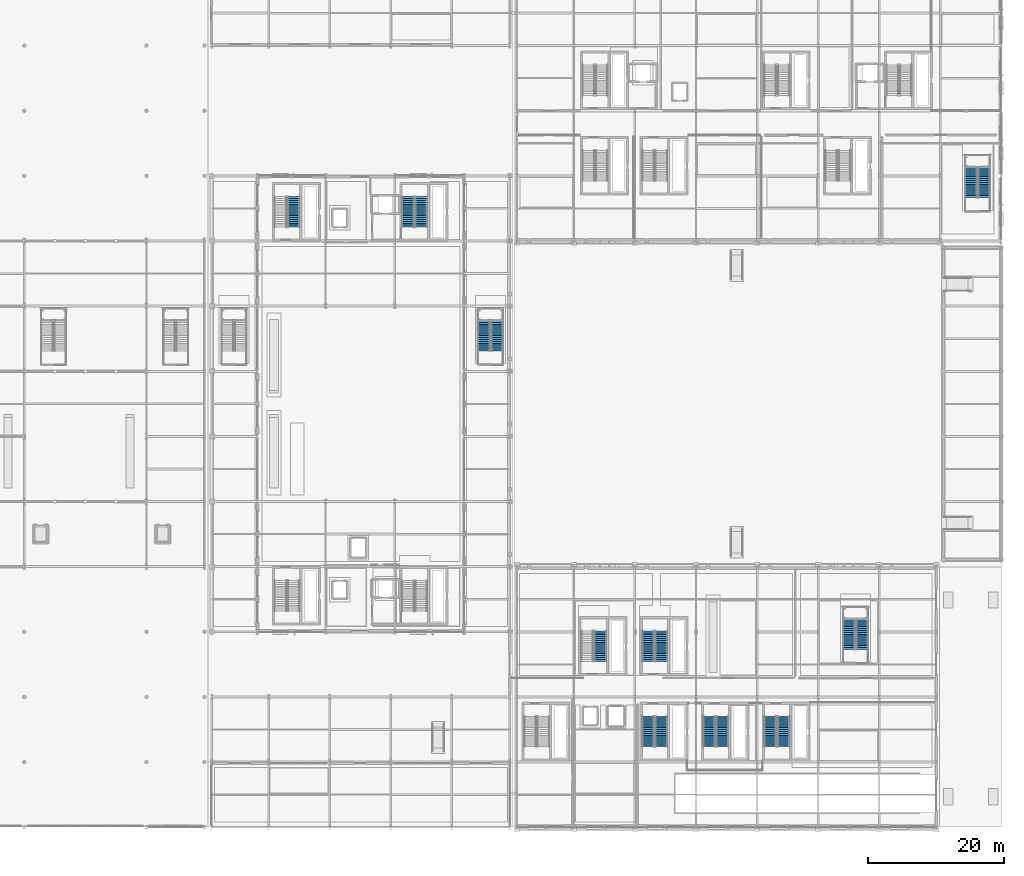
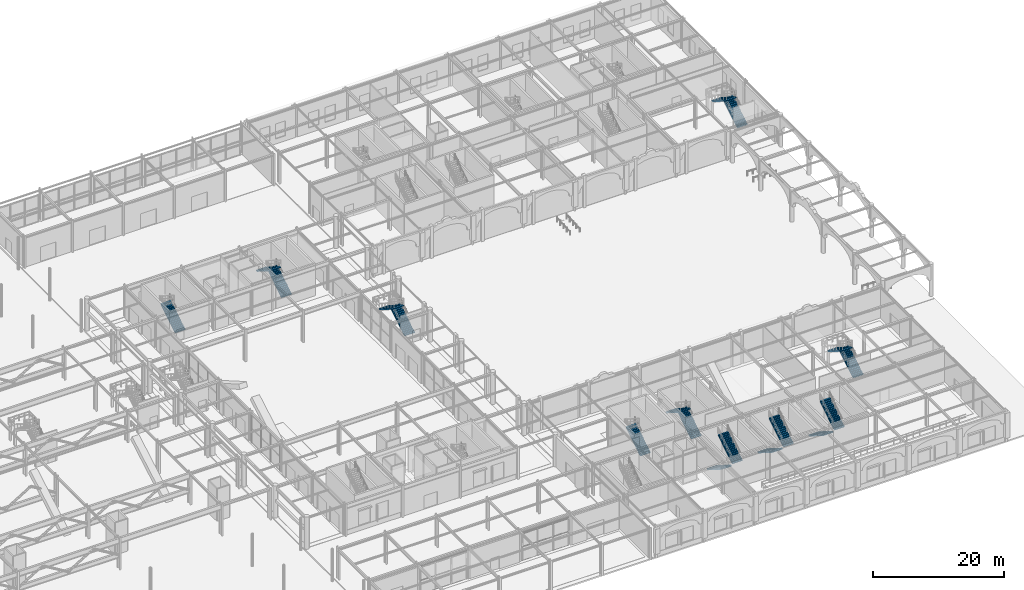
# One storey, part 71 of 113: 18 stair flights, 10 elements without a shape of their own.
"""IFC4 building model written with IfcOpenShell, lengths in metres."""

from ifc_helpers import new_model, si_unit, direction, frame, origin, place, context, subcontext, project, spatial, polyline, outline, extrude, material, type_object, element, aggregate, save


model = new_model("IFC4")

# Units and contexts
model_context = context("Model", 3, precision=1e-05, world=origin(), true_north=direction((0.0, 1.0)))
body_context = subcontext(model_context, "Body", "Model", "MODEL_VIEW")
ifc_project = project(units=[si_unit("LENGTHUNIT", "METRE"), si_unit("AREAUNIT", "SQUARE_METRE"), si_unit("VOLUMEUNIT", "CUBIC_METRE"), si_unit("PLANEANGLEUNIT", "RADIAN"), si_unit("MASSUNIT", "GRAM", prefix="KILO")], contexts=[model_context])

# Site, building, storey
site_placement = place(None, origin())
site = spatial("IfcSite", under=ifc_project, at=site_placement, CompositionType="ELEMENT")
building_placement = place(site_placement, origin())
building = spatial("IfcBuilding", under=site, at=building_placement, Name="Myrtia Square Station", CompositionType="ELEMENT")
storey_placement = place(building_placement, origin())
storey = spatial("IfcBuildingStorey", under=building, at=storey_placement, Name="L00", CompositionType="ELEMENT", Elevation=0.0)

# Stair, stair flight
ifc_material = material(Name="Concrete C35/45", Category="concrete")
stair_type_1 = type_object("IfcStairType", Name="STR-02-34R-1800W", PredefinedType="HALF_TURN_STAIR", material=ifc_material)
stair_1_placement = place(storey_placement, origin())
stair_1 = element("IfcStair", 1, at=stair_1_placement, inside=storey, type_object=stair_type_1, Name="L00 Core escape stair ST02", PredefinedType="HALF_TURN_STAIR")
stair_flight_type_1 = type_object("IfcStairFlightType", Name="STF-02-17R-1800W", PredefinedType="STRAIGHT", material=ifc_material)
stair_flight_1_placement = place(storey_placement, frame((84.7099609375, 88.449951171875, 0.0), z_axis=(0.0, 0.0, 1.0), x_axis=(0.0, 1.0, 0.0)))
stair_flight_1 = element("IfcStairFlight", 2, at=stair_flight_1_placement, type_object=stair_flight_type_1, Name="ST02 flight 1", NumberOfRisers=17, NumberOfTreads=16, PredefinedType="STRAIGHT", RiserHeight=0.176470588, TreadLength=0.28, context=body_context, shape_type="SweptSolid", body=[
    extrude(outline(polyline([(0.0, 0.0), (0.0, 0.176513671875), (0.280029296875, 0.176513671875), (0.280029296875, 0.35302734375), (0.56005859375, 0.35302734375), (0.56005859375, 0.529296875), (0.840087890625, 0.529296875), (0.840087890625, 0.705810546875), (1.1201171875, 0.705810546875), (1.1201171875, 0.88232421875), (1.39990234375, 0.88232421875), (1.39990234375, 1.058837890625), (1.679931640625, 1.058837890625), (1.679931640625, 1.2353515625), (1.9599609375, 1.2353515625), (1.9599609375, 1.411865234375), (2.239990234375, 1.411865234375), (2.239990234375, 1.588134765625), (2.52001953125, 1.588134765625), (2.52001953125, 1.7646484375), (2.800048828125, 1.7646484375), (2.800048828125, 1.941162109375), (3.080078125, 1.941162109375), (3.080078125, 2.11767578125), (3.360107421875, 2.11767578125), (3.360107421875, 2.294189453125), (3.639892578125, 2.294189453125), (3.639892578125, 2.470703125), (3.919921875, 2.470703125), (3.919921875, 2.64697265625), (4.199951171875, 2.64697265625), (4.199951171875, 2.823486328125), (4.47998046875, 2.823486328125), (4.47998046875, 3.0), (4.47998046875, 2.646240234375), (0.28125, 0.0), (0.0, 0.0)])), frame((0.0, 0.89990234375, 0.0), z_axis=(0.0, -1.0, 0.0), x_axis=(1.0, 0.0, 0.0)), (0.0, 0.0, 1.0), 1.800048828125),
])
aggregate(stair_1, [stair_flight_1])

# Stair, stair flights
stair_2_placement = place(storey_placement, origin())
stair_2 = element("IfcStair", 3, at=stair_2_placement, inside=storey, type_object=stair_type_1, Name="L00 Core escape stair ST04", PredefinedType="HALF_TURN_STAIR")
stair_flight_2_placement = place(storey_placement, frame((103.510009765625, 88.449951171875, 0.0), z_axis=(0.0, 0.0, 1.0), x_axis=(0.0, 1.0, 0.0)))
stair_flight_2 = element("IfcStairFlight", 4, at=stair_flight_2_placement, type_object=stair_flight_type_1, Name="ST04 flight 1", NumberOfRisers=17, NumberOfTreads=16, PredefinedType="STRAIGHT", RiserHeight=0.176470588, TreadLength=0.28, context=body_context, shape_type="SweptSolid", body=[
    extrude(outline(polyline([(0.0, 0.0), (0.0, 0.176513671875), (0.280029296875, 0.176513671875), (0.280029296875, 0.35302734375), (0.56005859375, 0.35302734375), (0.56005859375, 0.529296875), (0.840087890625, 0.529296875), (0.840087890625, 0.705810546875), (1.1201171875, 0.705810546875), (1.1201171875, 0.88232421875), (1.39990234375, 0.88232421875), (1.39990234375, 1.058837890625), (1.679931640625, 1.058837890625), (1.679931640625, 1.2353515625), (1.9599609375, 1.2353515625), (1.9599609375, 1.411865234375), (2.239990234375, 1.411865234375), (2.239990234375, 1.588134765625), (2.52001953125, 1.588134765625), (2.52001953125, 1.7646484375), (2.800048828125, 1.7646484375), (2.800048828125, 1.941162109375), (3.080078125, 1.941162109375), (3.080078125, 2.11767578125), (3.360107421875, 2.11767578125), (3.360107421875, 2.294189453125), (3.639892578125, 2.294189453125), (3.639892578125, 2.470703125), (3.919921875, 2.470703125), (3.919921875, 2.64697265625), (4.199951171875, 2.64697265625), (4.199951171875, 2.823486328125), (4.47998046875, 2.823486328125), (4.47998046875, 3.0), (4.47998046875, 2.646240234375), (0.28125, 0.0), (0.0, 0.0)])), frame((0.0, 0.89990234375, 0.0), z_axis=(0.0, -1.0, 0.0), x_axis=(1.0, 0.0, 0.0)), (0.0, 0.0, 1.0), 1.800048828125),
])
stair_flight_3_placement = place(storey_placement, frame((101.550048828125, 92.929931640625, 3.0), z_axis=(0.0, 0.0, 1.0), x_axis=(0.0, -1.0, 0.0)))
stair_flight_3 = element("IfcStairFlight", 5, at=stair_flight_3_placement, type_object=stair_flight_type_1, Name="ST04 flight 2", NumberOfRisers=17, NumberOfTreads=16, PredefinedType="STRAIGHT", RiserHeight=0.176470588, TreadLength=0.28, context=body_context, shape_type="SweptSolid", body=[
    extrude(outline(polyline([(0.0, 0.0), (0.0, 0.176513671875), (0.280029296875, 0.176513671875), (0.280029296875, 0.35302734375), (0.56005859375, 0.35302734375), (0.56005859375, 0.529296875), (0.840087890625, 0.529296875), (0.840087890625, 0.705810546875), (1.1201171875, 0.705810546875), (1.1201171875, 0.88232421875), (1.39990234375, 0.88232421875), (1.39990234375, 1.058837890625), (1.679931640625, 1.058837890625), (1.679931640625, 1.2353515625), (1.9599609375, 1.2353515625), (1.9599609375, 1.411865234375), (2.239990234375, 1.411865234375), (2.239990234375, 1.588134765625), (2.52001953125, 1.588134765625), (2.52001953125, 1.7646484375), (2.800048828125, 1.7646484375), (2.800048828125, 1.941162109375), (3.080078125, 1.941162109375), (3.080078125, 2.11767578125), (3.360107421875, 2.11767578125), (3.360107421875, 2.294189453125), (3.639892578125, 2.294189453125), (3.639892578125, 2.470703125), (3.919921875, 2.470703125), (3.919921875, 2.64697265625), (4.199951171875, 2.64697265625), (4.199951171875, 2.823486328125), (4.47998046875, 2.823486328125), (4.47998046875, 3.0), (4.47998046875, 2.646240234375), (0.28125, 0.0), (0.0, 0.0)])), frame((0.0, 0.89990234375, 0.0), z_axis=(0.0, -1.0, 0.0), x_axis=(1.0, 0.0, 0.0)), (0.0, 0.0, 1.0), 1.800048828125),
])
aggregate(stair_2, [stair_flight_2, stair_flight_3])

stair_3_placement = place(storey_placement, origin())
stair_3 = element("IfcStair", 6, at=stair_3_placement, inside=storey, type_object=stair_type_1, Name="L00 Core escape stair ST06", PredefinedType="HALF_TURN_STAIR")
stair_flight_4_placement = place(storey_placement, frame((136.949951171875, 16.35009765625, 0.0), z_axis=(0.0, 0.0, 1.0), x_axis=(0.0, -1.0, 0.0)))
stair_flight_4 = element("IfcStairFlight", 7, at=stair_flight_4_placement, type_object=stair_flight_type_1, Name="ST06 flight 1", NumberOfRisers=17, NumberOfTreads=16, PredefinedType="STRAIGHT", RiserHeight=0.176470588, TreadLength=0.28, context=body_context, shape_type="SweptSolid", body=[
    extrude(outline(polyline([(0.0, 0.0), (0.0, 0.176513671875), (0.280029296875, 0.176513671875), (0.280029296875, 0.35302734375), (0.56005859375, 0.35302734375), (0.56005859375, 0.529296875), (0.840087890625, 0.529296875), (0.840087890625, 0.705810546875), (1.1201171875, 0.705810546875), (1.1201171875, 0.88232421875), (1.39990234375, 0.88232421875), (1.39990234375, 1.058837890625), (1.679931640625, 1.058837890625), (1.679931640625, 1.2353515625), (1.9599609375, 1.2353515625), (1.9599609375, 1.411865234375), (2.239990234375, 1.411865234375), (2.239990234375, 1.588134765625), (2.52001953125, 1.588134765625), (2.52001953125, 1.7646484375), (2.800048828125, 1.7646484375), (2.800048828125, 1.941162109375), (3.080078125, 1.941162109375), (3.080078125, 2.11767578125), (3.360107421875, 2.11767578125), (3.360107421875, 2.294189453125), (3.639892578125, 2.294189453125), (3.639892578125, 2.470703125), (3.919921875, 2.470703125), (3.919921875, 2.64697265625), (4.199951171875, 2.64697265625), (4.199951171875, 2.823486328125), (4.47998046875, 2.823486328125), (4.47998046875, 3.0), (4.47998046875, 2.646240234375), (0.28125, 0.0), (0.0, 0.0)])), frame((0.0, 0.89990234375, 0.0), z_axis=(0.0, -1.0, 0.0), x_axis=(1.0, 0.0, 0.0)), (0.0, 0.0, 1.0), 1.800048828125),
])
stair_flight_5_placement = place(storey_placement, frame((138.909912109375, 11.8701171875, 3.0), z_axis=(0.0, 0.0, 1.0), x_axis=(0.0, 1.0, 0.0)))
stair_flight_5 = element("IfcStairFlight", 8, at=stair_flight_5_placement, type_object=stair_flight_type_1, Name="ST06 flight 2", NumberOfRisers=17, NumberOfTreads=16, PredefinedType="STRAIGHT", RiserHeight=0.176470588, TreadLength=0.28, context=body_context, shape_type="SweptSolid", body=[
    extrude(outline(polyline([(0.0, 0.0), (0.0, 0.176513671875), (0.280029296875, 0.176513671875), (0.280029296875, 0.35302734375), (0.56005859375, 0.35302734375), (0.56005859375, 0.529296875), (0.840087890625, 0.529296875), (0.840087890625, 0.705810546875), (1.1201171875, 0.705810546875), (1.1201171875, 0.88232421875), (1.39990234375, 0.88232421875), (1.39990234375, 1.058837890625), (1.679931640625, 1.058837890625), (1.679931640625, 1.2353515625), (1.9599609375, 1.2353515625), (1.9599609375, 1.411865234375), (2.239990234375, 1.411865234375), (2.239990234375, 1.588134765625), (2.52001953125, 1.588134765625), (2.52001953125, 1.7646484375), (2.800048828125, 1.7646484375), (2.800048828125, 1.941162109375), (3.080078125, 1.941162109375), (3.080078125, 2.11767578125), (3.360107421875, 2.11767578125), (3.360107421875, 2.294189453125), (3.639892578125, 2.294189453125), (3.639892578125, 2.470703125), (3.919921875, 2.470703125), (3.919921875, 2.64697265625), (4.199951171875, 2.64697265625), (4.199951171875, 2.823486328125), (4.47998046875, 2.823486328125), (4.47998046875, 3.0), (4.47998046875, 2.646240234375), (0.28125, 0.0), (0.0, 0.0)])), frame((0.0, 0.89990234375, 0.0), z_axis=(0.0, -1.0, 0.0), x_axis=(1.0, 0.0, 0.0)), (0.0, 0.0, 1.0), 1.800048828125),
])
aggregate(stair_3, [stair_flight_4, stair_flight_5])

stair_4_placement = place(storey_placement, origin())
stair_4 = element("IfcStair", 9, at=stair_4_placement, inside=storey, type_object=stair_type_1, Name="L00 Core escape stair ST09", PredefinedType="HALF_TURN_STAIR")
stair_flight_6_placement = place(storey_placement, frame((138.909912109375, 24.449951171875, 0.0), z_axis=(0.0, 0.0, 1.0), x_axis=(0.0, 1.0, 0.0)))
stair_flight_6 = element("IfcStairFlight", 10, at=stair_flight_6_placement, type_object=stair_flight_type_1, Name="ST09 flight 1", NumberOfRisers=17, NumberOfTreads=16, PredefinedType="STRAIGHT", RiserHeight=0.176470588, TreadLength=0.28, context=body_context, shape_type="SweptSolid", body=[
    extrude(outline(polyline([(0.0, 0.0), (0.0, 0.176513671875), (0.280029296875, 0.176513671875), (0.280029296875, 0.35302734375), (0.56005859375, 0.35302734375), (0.56005859375, 0.529296875), (0.840087890625, 0.529296875), (0.840087890625, 0.705810546875), (1.1201171875, 0.705810546875), (1.1201171875, 0.88232421875), (1.39990234375, 0.88232421875), (1.39990234375, 1.058837890625), (1.679931640625, 1.058837890625), (1.679931640625, 1.2353515625), (1.9599609375, 1.2353515625), (1.9599609375, 1.411865234375), (2.239990234375, 1.411865234375), (2.239990234375, 1.588134765625), (2.52001953125, 1.588134765625), (2.52001953125, 1.7646484375), (2.800048828125, 1.7646484375), (2.800048828125, 1.941162109375), (3.080078125, 1.941162109375), (3.080078125, 2.11767578125), (3.360107421875, 2.11767578125), (3.360107421875, 2.294189453125), (3.639892578125, 2.294189453125), (3.639892578125, 2.470703125), (3.919921875, 2.470703125), (3.919921875, 2.64697265625), (4.199951171875, 2.64697265625), (4.199951171875, 2.823486328125), (4.47998046875, 2.823486328125), (4.47998046875, 3.0), (4.47998046875, 2.646240234375), (0.28125, 0.0), (0.0, 0.0)])), frame((0.0, 0.89990234375, 0.0), z_axis=(0.0, -1.0, 0.0), x_axis=(1.0, 0.0, 0.0)), (0.0, 0.0, 1.0), 1.800048828125),
])
stair_flight_7_placement = place(storey_placement, frame((136.949951171875, 28.929931640625, 3.0), z_axis=(0.0, 0.0, 1.0), x_axis=(0.0, -1.0, 0.0)))
stair_flight_7 = element("IfcStairFlight", 11, at=stair_flight_7_placement, type_object=stair_flight_type_1, Name="ST09 flight 2", NumberOfRisers=17, NumberOfTreads=16, PredefinedType="STRAIGHT", RiserHeight=0.176470588, TreadLength=0.28, context=body_context, shape_type="SweptSolid", body=[
    extrude(outline(polyline([(0.0, 0.0), (0.0, 0.176513671875), (0.280029296875, 0.176513671875), (0.280029296875, 0.35302734375), (0.56005859375, 0.35302734375), (0.56005859375, 0.529296875), (0.840087890625, 0.529296875), (0.840087890625, 0.705810546875), (1.1201171875, 0.705810546875), (1.1201171875, 0.88232421875), (1.39990234375, 0.88232421875), (1.39990234375, 1.058837890625), (1.679931640625, 1.058837890625), (1.679931640625, 1.2353515625), (1.9599609375, 1.2353515625), (1.9599609375, 1.411865234375), (2.239990234375, 1.411865234375), (2.239990234375, 1.588134765625), (2.52001953125, 1.588134765625), (2.52001953125, 1.7646484375), (2.800048828125, 1.7646484375), (2.800048828125, 1.941162109375), (3.080078125, 1.941162109375), (3.080078125, 2.11767578125), (3.360107421875, 2.11767578125), (3.360107421875, 2.294189453125), (3.639892578125, 2.294189453125), (3.639892578125, 2.470703125), (3.919921875, 2.470703125), (3.919921875, 2.64697265625), (4.199951171875, 2.64697265625), (4.199951171875, 2.823486328125), (4.47998046875, 2.823486328125), (4.47998046875, 3.0), (4.47998046875, 2.646240234375), (0.28125, 0.0), (0.0, 0.0)])), frame((0.0, 0.89990234375, 0.0), z_axis=(0.0, -1.0, 0.0), x_axis=(1.0, 0.0, 0.0)), (0.0, 0.0, 1.0), 1.800048828125),
])
aggregate(stair_4, [stair_flight_6, stair_flight_7])

# Stair, stair flight
stair_5_placement = place(storey_placement, origin())
stair_5 = element("IfcStair", 12, at=stair_5_placement, inside=storey, type_object=stair_type_1, Name="L00 Core escape stair ST10", PredefinedType="HALF_TURN_STAIR")
stair_flight_8_placement = place(storey_placement, frame((129.909912109375, 24.449951171875, 0.0), z_axis=(0.0, 0.0, 1.0), x_axis=(0.0, 1.0, 0.0)))
stair_flight_8 = element("IfcStairFlight", 13, at=stair_flight_8_placement, type_object=stair_flight_type_1, Name="ST10 flight 1", NumberOfRisers=17, NumberOfTreads=16, PredefinedType="STRAIGHT", RiserHeight=0.176470588, TreadLength=0.28, context=body_context, shape_type="SweptSolid", body=[
    extrude(outline(polyline([(0.0, 0.0), (0.0, 0.176513671875), (0.280029296875, 0.176513671875), (0.280029296875, 0.35302734375), (0.56005859375, 0.35302734375), (0.56005859375, 0.529296875), (0.840087890625, 0.529296875), (0.840087890625, 0.705810546875), (1.1201171875, 0.705810546875), (1.1201171875, 0.88232421875), (1.39990234375, 0.88232421875), (1.39990234375, 1.058837890625), (1.679931640625, 1.058837890625), (1.679931640625, 1.2353515625), (1.9599609375, 1.2353515625), (1.9599609375, 1.411865234375), (2.239990234375, 1.411865234375), (2.239990234375, 1.588134765625), (2.52001953125, 1.588134765625), (2.52001953125, 1.7646484375), (2.800048828125, 1.7646484375), (2.800048828125, 1.941162109375), (3.080078125, 1.941162109375), (3.080078125, 2.11767578125), (3.360107421875, 2.11767578125), (3.360107421875, 2.294189453125), (3.639892578125, 2.294189453125), (3.639892578125, 2.470703125), (3.919921875, 2.470703125), (3.919921875, 2.64697265625), (4.199951171875, 2.64697265625), (4.199951171875, 2.823486328125), (4.47998046875, 2.823486328125), (4.47998046875, 3.0), (4.47998046875, 2.646240234375), (0.28125, 0.0), (0.0, 0.0)])), frame((0.0, 0.89990234375, 0.0), z_axis=(0.0, -1.0, 0.0), x_axis=(1.0, 0.0, 0.0)), (0.0, 0.0, 1.0), 1.800048828125),
])
aggregate(stair_5, [stair_flight_8])

# Stair, stair flights
stair_6_placement = place(storey_placement, origin())
stair_6 = element("IfcStair", 14, at=stair_6_placement, inside=storey, type_object=stair_type_1, Name="L00 Core escape stair ST11", PredefinedType="HALF_TURN_STAIR")
stair_flight_9_placement = place(storey_placement, frame((145.949951171875, 16.35009765625, 0.0), z_axis=(0.0, 0.0, 1.0), x_axis=(0.0, -1.0, 0.0)))
stair_flight_9 = element("IfcStairFlight", 15, at=stair_flight_9_placement, type_object=stair_flight_type_1, Name="ST11 flight 1", NumberOfRisers=17, NumberOfTreads=16, PredefinedType="STRAIGHT", RiserHeight=0.176470588, TreadLength=0.28, context=body_context, shape_type="SweptSolid", body=[
    extrude(outline(polyline([(0.0, 0.0), (0.0, 0.176513671875), (0.280029296875, 0.176513671875), (0.280029296875, 0.35302734375), (0.56005859375, 0.35302734375), (0.56005859375, 0.529296875), (0.840087890625, 0.529296875), (0.840087890625, 0.705810546875), (1.1201171875, 0.705810546875), (1.1201171875, 0.88232421875), (1.39990234375, 0.88232421875), (1.39990234375, 1.058837890625), (1.679931640625, 1.058837890625), (1.679931640625, 1.2353515625), (1.9599609375, 1.2353515625), (1.9599609375, 1.411865234375), (2.239990234375, 1.411865234375), (2.239990234375, 1.588134765625), (2.52001953125, 1.588134765625), (2.52001953125, 1.7646484375), (2.800048828125, 1.7646484375), (2.800048828125, 1.941162109375), (3.080078125, 1.941162109375), (3.080078125, 2.11767578125), (3.360107421875, 2.11767578125), (3.360107421875, 2.294189453125), (3.639892578125, 2.294189453125), (3.639892578125, 2.470703125), (3.919921875, 2.470703125), (3.919921875, 2.64697265625), (4.199951171875, 2.64697265625), (4.199951171875, 2.823486328125), (4.47998046875, 2.823486328125), (4.47998046875, 3.0), (4.47998046875, 2.646240234375), (0.28125, 0.0), (0.0, 0.0)])), frame((0.0, 0.89990234375, 0.0), z_axis=(0.0, -1.0, 0.0), x_axis=(1.0, 0.0, 0.0)), (0.0, 0.0, 1.0), 1.800048828125),
])
stair_flight_10_placement = place(storey_placement, frame((147.909912109375, 11.8701171875, 3.0), z_axis=(0.0, 0.0, 1.0), x_axis=(0.0, 1.0, 0.0)))
stair_flight_10 = element("IfcStairFlight", 16, at=stair_flight_10_placement, type_object=stair_flight_type_1, Name="ST11 flight 2", NumberOfRisers=17, NumberOfTreads=16, PredefinedType="STRAIGHT", RiserHeight=0.176470588, TreadLength=0.28, context=body_context, shape_type="SweptSolid", body=[
    extrude(outline(polyline([(0.0, 0.0), (0.0, 0.176513671875), (0.280029296875, 0.176513671875), (0.280029296875, 0.35302734375), (0.56005859375, 0.35302734375), (0.56005859375, 0.529296875), (0.840087890625, 0.529296875), (0.840087890625, 0.705810546875), (1.1201171875, 0.705810546875), (1.1201171875, 0.88232421875), (1.39990234375, 0.88232421875), (1.39990234375, 1.058837890625), (1.679931640625, 1.058837890625), (1.679931640625, 1.2353515625), (1.9599609375, 1.2353515625), (1.9599609375, 1.411865234375), (2.239990234375, 1.411865234375), (2.239990234375, 1.588134765625), (2.52001953125, 1.588134765625), (2.52001953125, 1.7646484375), (2.800048828125, 1.7646484375), (2.800048828125, 1.941162109375), (3.080078125, 1.941162109375), (3.080078125, 2.11767578125), (3.360107421875, 2.11767578125), (3.360107421875, 2.294189453125), (3.639892578125, 2.294189453125), (3.639892578125, 2.470703125), (3.919921875, 2.470703125), (3.919921875, 2.64697265625), (4.199951171875, 2.64697265625), (4.199951171875, 2.823486328125), (4.47998046875, 2.823486328125), (4.47998046875, 3.0), (4.47998046875, 2.646240234375), (0.28125, 0.0), (0.0, 0.0)])), frame((0.0, 0.89990234375, 0.0), z_axis=(0.0, -1.0, 0.0), x_axis=(1.0, 0.0, 0.0)), (0.0, 0.0, 1.0), 1.800048828125),
])
aggregate(stair_6, [stair_flight_9, stair_flight_10])

stair_7_placement = place(storey_placement, origin())
stair_7 = element("IfcStair", 17, at=stair_7_placement, inside=storey, type_object=stair_type_1, Name="L00 Core escape stair ST14", PredefinedType="HALF_TURN_STAIR")
stair_flight_11_placement = place(storey_placement, frame((154.949951171875, 16.35009765625, 0.0), z_axis=(0.0, 0.0, 1.0), x_axis=(0.0, -1.0, 0.0)))
stair_flight_11 = element("IfcStairFlight", 18, at=stair_flight_11_placement, type_object=stair_flight_type_1, Name="ST14 flight 1", NumberOfRisers=17, NumberOfTreads=16, PredefinedType="STRAIGHT", RiserHeight=0.176470588, TreadLength=0.28, context=body_context, shape_type="SweptSolid", body=[
    extrude(outline(polyline([(0.0, 0.0), (0.0, 0.176513671875), (0.280029296875, 0.176513671875), (0.280029296875, 0.35302734375), (0.56005859375, 0.35302734375), (0.56005859375, 0.529296875), (0.840087890625, 0.529296875), (0.840087890625, 0.705810546875), (1.1201171875, 0.705810546875), (1.1201171875, 0.88232421875), (1.39990234375, 0.88232421875), (1.39990234375, 1.058837890625), (1.679931640625, 1.058837890625), (1.679931640625, 1.2353515625), (1.9599609375, 1.2353515625), (1.9599609375, 1.411865234375), (2.239990234375, 1.411865234375), (2.239990234375, 1.588134765625), (2.52001953125, 1.588134765625), (2.52001953125, 1.7646484375), (2.800048828125, 1.7646484375), (2.800048828125, 1.941162109375), (3.080078125, 1.941162109375), (3.080078125, 2.11767578125), (3.360107421875, 2.11767578125), (3.360107421875, 2.294189453125), (3.639892578125, 2.294189453125), (3.639892578125, 2.470703125), (3.919921875, 2.470703125), (3.919921875, 2.64697265625), (4.199951171875, 2.64697265625), (4.199951171875, 2.823486328125), (4.47998046875, 2.823486328125), (4.47998046875, 3.0), (4.47998046875, 2.646240234375), (0.28125, 0.0), (0.0, 0.0)])), frame((0.0, 0.89990234375, 0.0), z_axis=(0.0, -1.0, 0.0), x_axis=(1.0, 0.0, 0.0)), (0.0, 0.0, 1.0), 1.800048828125),
])
stair_flight_12_placement = place(storey_placement, frame((156.909912109375, 11.8701171875, 3.0), z_axis=(0.0, 0.0, 1.0), x_axis=(0.0, 1.0, 0.0)))
stair_flight_12 = element("IfcStairFlight", 19, at=stair_flight_12_placement, type_object=stair_flight_type_1, Name="ST14 flight 2", NumberOfRisers=17, NumberOfTreads=16, PredefinedType="STRAIGHT", RiserHeight=0.176470588, TreadLength=0.28, context=body_context, shape_type="SweptSolid", body=[
    extrude(outline(polyline([(0.0, 0.0), (0.0, 0.176513671875), (0.280029296875, 0.176513671875), (0.280029296875, 0.35302734375), (0.56005859375, 0.35302734375), (0.56005859375, 0.529296875), (0.840087890625, 0.529296875), (0.840087890625, 0.705810546875), (1.1201171875, 0.705810546875), (1.1201171875, 0.88232421875), (1.39990234375, 0.88232421875), (1.39990234375, 1.058837890625), (1.679931640625, 1.058837890625), (1.679931640625, 1.2353515625), (1.9599609375, 1.2353515625), (1.9599609375, 1.411865234375), (2.239990234375, 1.411865234375), (2.239990234375, 1.588134765625), (2.52001953125, 1.588134765625), (2.52001953125, 1.7646484375), (2.800048828125, 1.7646484375), (2.800048828125, 1.941162109375), (3.080078125, 1.941162109375), (3.080078125, 2.11767578125), (3.360107421875, 2.11767578125), (3.360107421875, 2.294189453125), (3.639892578125, 2.294189453125), (3.639892578125, 2.470703125), (3.919921875, 2.470703125), (3.919921875, 2.64697265625), (4.199951171875, 2.64697265625), (4.199951171875, 2.823486328125), (4.47998046875, 2.823486328125), (4.47998046875, 3.0), (4.47998046875, 2.646240234375), (0.28125, 0.0), (0.0, 0.0)])), frame((0.0, 0.89990234375, 0.0), z_axis=(0.0, -1.0, 0.0), x_axis=(1.0, 0.0, 0.0)), (0.0, 0.0, 1.0), 1.800048828125),
])
aggregate(stair_7, [stair_flight_11, stair_flight_12])

stair_type_2 = type_object("IfcStairType", Name="STR-06-34R-1800W", PredefinedType="TWO_STRAIGHT_RUN_STAIR", material=ifc_material)
stair_8_placement = place(storey_placement, origin())
stair_8 = element("IfcStair", 20, at=stair_8_placement, inside=storey, type_object=stair_type_2, Name="L00 Platform interchange stair ST70", PredefinedType="TWO_STRAIGHT_RUN_STAIR")
stair_flight_type_2 = type_object("IfcStairFlightType", Name="STF-06-17R-1800W", PredefinedType="STRAIGHT", material=ifc_material)
stair_flight_13_placement = place(storey_placement, frame((114.699951171875, 70.199951171875, 0.0), z_axis=(0.0, 0.0, 1.0), x_axis=(0.0, 1.0, 0.0)))
stair_flight_13 = element("IfcStairFlight", 21, at=stair_flight_13_placement, type_object=stair_flight_type_2, Name="ST70 flight 1", NumberOfRisers=17, NumberOfTreads=16, PredefinedType="STRAIGHT", RiserHeight=0.176470588, TreadLength=0.28, context=body_context, shape_type="SweptSolid", body=[
    extrude(outline(polyline([(0.0, 0.0), (0.0, 0.176513671875), (0.280029296875, 0.176513671875), (0.280029296875, 0.35302734375), (0.56005859375, 0.35302734375), (0.56005859375, 0.529296875), (0.840087890625, 0.529296875), (0.840087890625, 0.705810546875), (1.1201171875, 0.705810546875), (1.1201171875, 0.88232421875), (1.39990234375, 0.88232421875), (1.39990234375, 1.058837890625), (1.679931640625, 1.058837890625), (1.679931640625, 1.2353515625), (1.9599609375, 1.2353515625), (1.9599609375, 1.411865234375), (2.239990234375, 1.411865234375), (2.239990234375, 1.588134765625), (2.52001953125, 1.588134765625), (2.52001953125, 1.7646484375), (2.800048828125, 1.7646484375), (2.800048828125, 1.941162109375), (3.080078125, 1.941162109375), (3.080078125, 2.11767578125), (3.360107421875, 2.11767578125), (3.360107421875, 2.294189453125), (3.639892578125, 2.294189453125), (3.639892578125, 2.470703125), (3.919921875, 2.470703125), (3.919921875, 2.64697265625), (4.199951171875, 2.64697265625), (4.199951171875, 2.823486328125), (4.47998046875, 2.823486328125), (4.47998046875, 3.0), (4.47998046875, 2.646240234375), (0.28125, 0.0), (0.0, 0.0)])), frame((0.0, 0.89990234375, 0.0), z_axis=(0.0, -1.0, 0.0), x_axis=(1.0, 0.0, 0.0)), (0.0, 0.0, 1.0), 1.800048828125),
])
stair_flight_14_placement = place(storey_placement, frame((112.739990234375, 74.679931640625, 3.0), z_axis=(0.0, 0.0, 1.0), x_axis=(0.0, -1.0, 0.0)))
stair_flight_14 = element("IfcStairFlight", 22, at=stair_flight_14_placement, type_object=stair_flight_type_2, Name="ST70 flight 2", NumberOfRisers=17, NumberOfTreads=16, PredefinedType="STRAIGHT", RiserHeight=0.176470588, TreadLength=0.28, context=body_context, shape_type="SweptSolid", body=[
    extrude(outline(polyline([(0.0, 0.0), (0.0, 0.176513671875), (0.280029296875, 0.176513671875), (0.280029296875, 0.35302734375), (0.56005859375, 0.35302734375), (0.56005859375, 0.529296875), (0.840087890625, 0.529296875), (0.840087890625, 0.705810546875), (1.1201171875, 0.705810546875), (1.1201171875, 0.88232421875), (1.39990234375, 0.88232421875), (1.39990234375, 1.058837890625), (1.679931640625, 1.058837890625), (1.679931640625, 1.2353515625), (1.9599609375, 1.2353515625), (1.9599609375, 1.411865234375), (2.239990234375, 1.411865234375), (2.239990234375, 1.588134765625), (2.52001953125, 1.588134765625), (2.52001953125, 1.7646484375), (2.800048828125, 1.7646484375), (2.800048828125, 1.941162109375), (3.080078125, 1.941162109375), (3.080078125, 2.11767578125), (3.360107421875, 2.11767578125), (3.360107421875, 2.294189453125), (3.639892578125, 2.294189453125), (3.639892578125, 2.470703125), (3.919921875, 2.470703125), (3.919921875, 2.64697265625), (4.199951171875, 2.64697265625), (4.199951171875, 2.823486328125), (4.47998046875, 2.823486328125), (4.47998046875, 3.0), (4.47998046875, 2.646240234375), (0.28125, 0.0), (0.0, 0.0)])), frame((0.0, 0.89990234375, 0.0), z_axis=(0.0, -1.0, 0.0), x_axis=(1.0, 0.0, 0.0)), (0.0, 0.0, 1.0), 1.800048828125),
])
aggregate(stair_8, [stair_flight_13, stair_flight_14])

stair_9_placement = place(storey_placement, origin())
stair_9 = element("IfcStair", 23, at=stair_9_placement, inside=storey, type_object=stair_type_2, Name="L00 Platform interchange stair ST71", PredefinedType="TWO_STRAIGHT_RUN_STAIR")
stair_flight_15_placement = place(storey_placement, frame((168.5, 26.199951171875, 0.0), z_axis=(0.0, 0.0, 1.0), x_axis=(0.0, 1.0, 0.0)))
stair_flight_15 = element("IfcStairFlight", 24, at=stair_flight_15_placement, type_object=stair_flight_type_2, Name="ST71 flight 1", NumberOfRisers=17, NumberOfTreads=16, PredefinedType="STRAIGHT", RiserHeight=0.176470588, TreadLength=0.28, context=body_context, shape_type="SweptSolid", body=[
    extrude(outline(polyline([(0.0, 0.0), (0.0, 0.176513671875), (0.280029296875, 0.176513671875), (0.280029296875, 0.35302734375), (0.56005859375, 0.35302734375), (0.56005859375, 0.529296875), (0.840087890625, 0.529296875), (0.840087890625, 0.705810546875), (1.1201171875, 0.705810546875), (1.1201171875, 0.88232421875), (1.39990234375, 0.88232421875), (1.39990234375, 1.058837890625), (1.679931640625, 1.058837890625), (1.679931640625, 1.2353515625), (1.9599609375, 1.2353515625), (1.9599609375, 1.411865234375), (2.239990234375, 1.411865234375), (2.239990234375, 1.588134765625), (2.52001953125, 1.588134765625), (2.52001953125, 1.7646484375), (2.800048828125, 1.7646484375), (2.800048828125, 1.941162109375), (3.080078125, 1.941162109375), (3.080078125, 2.11767578125), (3.360107421875, 2.11767578125), (3.360107421875, 2.294189453125), (3.639892578125, 2.294189453125), (3.639892578125, 2.470703125), (3.919921875, 2.470703125), (3.919921875, 2.64697265625), (4.199951171875, 2.64697265625), (4.199951171875, 2.823486328125), (4.47998046875, 2.823486328125), (4.47998046875, 3.0), (4.47998046875, 2.646240234375), (0.28125, 0.0), (0.0, 0.0)])), frame((0.0, 0.89990234375, 0.0), z_axis=(0.0, -1.0, 0.0), x_axis=(1.0, 0.0, 0.0)), (0.0, 0.0, 1.0), 1.800048828125),
])
stair_flight_16_placement = place(storey_placement, frame((166.5400390625, 30.679931640625, 3.0), z_axis=(0.0, 0.0, 1.0), x_axis=(0.0, -1.0, 0.0)))
stair_flight_16 = element("IfcStairFlight", 25, at=stair_flight_16_placement, type_object=stair_flight_type_2, Name="ST71 flight 2", NumberOfRisers=17, NumberOfTreads=16, PredefinedType="STRAIGHT", RiserHeight=0.176470588, TreadLength=0.28, context=body_context, shape_type="SweptSolid", body=[
    extrude(outline(polyline([(0.0, 0.0), (0.0, 0.176513671875), (0.280029296875, 0.176513671875), (0.280029296875, 0.35302734375), (0.56005859375, 0.35302734375), (0.56005859375, 0.529296875), (0.840087890625, 0.529296875), (0.840087890625, 0.705810546875), (1.1201171875, 0.705810546875), (1.1201171875, 0.88232421875), (1.39990234375, 0.88232421875), (1.39990234375, 1.058837890625), (1.679931640625, 1.058837890625), (1.679931640625, 1.2353515625), (1.9599609375, 1.2353515625), (1.9599609375, 1.411865234375), (2.239990234375, 1.411865234375), (2.239990234375, 1.588134765625), (2.52001953125, 1.588134765625), (2.52001953125, 1.7646484375), (2.800048828125, 1.7646484375), (2.800048828125, 1.941162109375), (3.080078125, 1.941162109375), (3.080078125, 2.11767578125), (3.360107421875, 2.11767578125), (3.360107421875, 2.294189453125), (3.639892578125, 2.294189453125), (3.639892578125, 2.470703125), (3.919921875, 2.470703125), (3.919921875, 2.64697265625), (4.199951171875, 2.64697265625), (4.199951171875, 2.823486328125), (4.47998046875, 2.823486328125), (4.47998046875, 3.0), (4.47998046875, 2.646240234375), (0.28125, 0.0), (0.0, 0.0)])), frame((0.0, 0.89990234375, 0.0), z_axis=(0.0, -1.0, 0.0), x_axis=(1.0, 0.0, 0.0)), (0.0, 0.0, 1.0), 1.800048828125),
])
aggregate(stair_9, [stair_flight_15, stair_flight_16])

stair_10_placement = place(storey_placement, origin())
stair_10 = element("IfcStair", 26, at=stair_10_placement, inside=storey, type_object=stair_type_2, Name="L00 Platform interchange stair ST72", PredefinedType="TWO_STRAIGHT_RUN_STAIR")
stair_flight_17_placement = place(storey_placement, frame((186.5, 92.800048828125, 0.0), z_axis=(0.0, 0.0, 1.0), x_axis=(0.0, 1.0, 0.0)))
stair_flight_17 = element("IfcStairFlight", 27, at=stair_flight_17_placement, type_object=stair_flight_type_2, Name="ST72 flight 1", NumberOfRisers=17, NumberOfTreads=16, PredefinedType="STRAIGHT", RiserHeight=0.176470588, TreadLength=0.28, context=body_context, shape_type="SweptSolid", body=[
    extrude(outline(polyline([(0.0, 0.0), (0.0, 0.176513671875), (0.280029296875, 0.176513671875), (0.280029296875, 0.35302734375), (0.56005859375, 0.35302734375), (0.56005859375, 0.529296875), (0.840087890625, 0.529296875), (0.840087890625, 0.705810546875), (1.1201171875, 0.705810546875), (1.1201171875, 0.88232421875), (1.39990234375, 0.88232421875), (1.39990234375, 1.058837890625), (1.679931640625, 1.058837890625), (1.679931640625, 1.2353515625), (1.9599609375, 1.2353515625), (1.9599609375, 1.411865234375), (2.239990234375, 1.411865234375), (2.239990234375, 1.588134765625), (2.52001953125, 1.588134765625), (2.52001953125, 1.7646484375), (2.800048828125, 1.7646484375), (2.800048828125, 1.941162109375), (3.080078125, 1.941162109375), (3.080078125, 2.11767578125), (3.360107421875, 2.11767578125), (3.360107421875, 2.294189453125), (3.639892578125, 2.294189453125), (3.639892578125, 2.470703125), (3.919921875, 2.470703125), (3.919921875, 2.64697265625), (4.199951171875, 2.64697265625), (4.199951171875, 2.823486328125), (4.47998046875, 2.823486328125), (4.47998046875, 3.0), (4.47998046875, 2.646240234375), (0.28125, 0.0), (0.0, 0.0)])), frame((0.0, 0.89990234375, 0.0), z_axis=(0.0, -1.0, 0.0), x_axis=(1.0, 0.0, 0.0)), (0.0, 0.0, 1.0), 1.800048828125),
])
stair_flight_18_placement = place(storey_placement, frame((184.5400390625, 97.280029296875, 3.0), z_axis=(0.0, 0.0, 1.0), x_axis=(0.0, -1.0, 0.0)))
stair_flight_18 = element("IfcStairFlight", 28, at=stair_flight_18_placement, type_object=stair_flight_type_2, Name="ST72 flight 2", NumberOfRisers=17, NumberOfTreads=16, PredefinedType="STRAIGHT", RiserHeight=0.176470588, TreadLength=0.28, context=body_context, shape_type="SweptSolid", body=[
    extrude(outline(polyline([(0.0, 0.0), (0.0, 0.176513671875), (0.280029296875, 0.176513671875), (0.280029296875, 0.35302734375), (0.56005859375, 0.35302734375), (0.56005859375, 0.529296875), (0.840087890625, 0.529296875), (0.840087890625, 0.705810546875), (1.1201171875, 0.705810546875), (1.1201171875, 0.88232421875), (1.39990234375, 0.88232421875), (1.39990234375, 1.058837890625), (1.679931640625, 1.058837890625), (1.679931640625, 1.2353515625), (1.9599609375, 1.2353515625), (1.9599609375, 1.411865234375), (2.239990234375, 1.411865234375), (2.239990234375, 1.588134765625), (2.52001953125, 1.588134765625), (2.52001953125, 1.7646484375), (2.800048828125, 1.7646484375), (2.800048828125, 1.941162109375), (3.080078125, 1.941162109375), (3.080078125, 2.11767578125), (3.360107421875, 2.11767578125), (3.360107421875, 2.294189453125), (3.639892578125, 2.294189453125), (3.639892578125, 2.470703125), (3.919921875, 2.470703125), (3.919921875, 2.64697265625), (4.199951171875, 2.64697265625), (4.199951171875, 2.823486328125), (4.47998046875, 2.823486328125), (4.47998046875, 3.0), (4.47998046875, 2.646240234375), (0.28125, 0.0), (0.0, 0.0)])), frame((0.0, 0.89990234375, 0.0), z_axis=(0.0, -1.0, 0.0), x_axis=(1.0, 0.0, 0.0)), (0.0, 0.0, 1.0), 1.800048828125),
])
aggregate(stair_10, [stair_flight_17, stair_flight_18])

save(model, "model.ifc")
